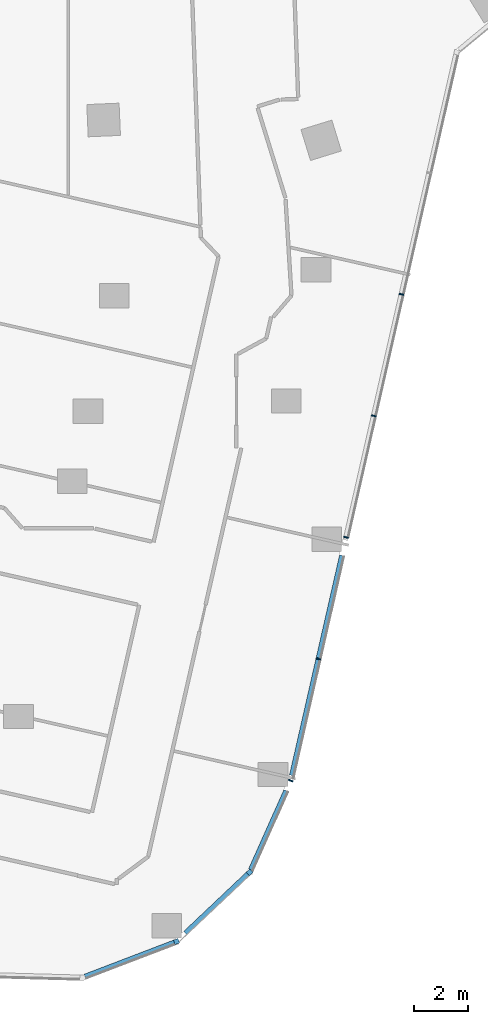
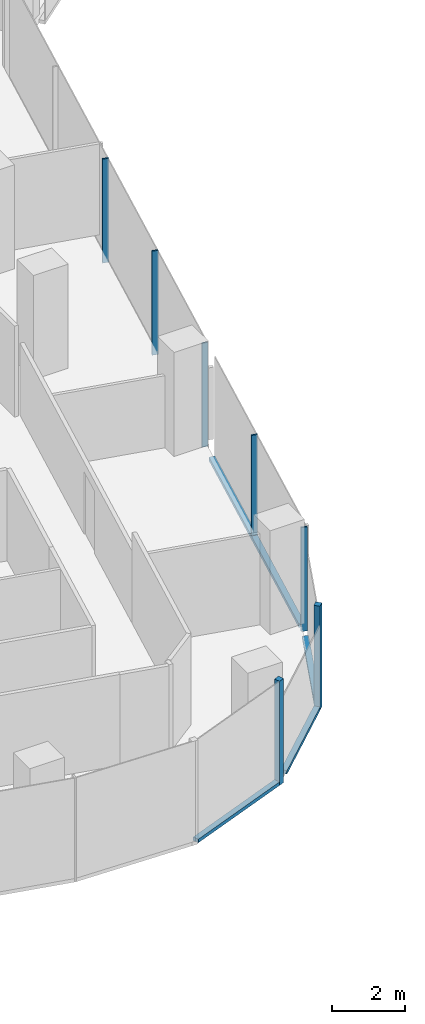
# One storey, part 5 of 23: 11 members, 4 elements without a shape of their own.
"""IFC4 building model written with IfcOpenShell, lengths in metres."""

from ifc_helpers import new_model, si_unit, direction, frame, origin, origin_2d, place, context, subcontext, project, spatial, rectangle, extrude, material, material_profile, profile_set, type_object, element, aggregate, save


model = new_model("IFC4")

# Units and contexts
model_context = context("Model", 3, precision=1e-05, world=origin(), true_north=direction((0.0, 1.0)))
body_context = subcontext(model_context, "Body", "Model", "MODEL_VIEW")
ifc_project = project(units=[si_unit("LENGTHUNIT", "METRE"), si_unit("AREAUNIT", "SQUARE_METRE"), si_unit("VOLUMEUNIT", "CUBIC_METRE"), si_unit("PLANEANGLEUNIT", "RADIAN"), si_unit("MASSUNIT", "GRAM", prefix="KILO")], contexts=[model_context])

# Site, building, storey
site_placement = place(None, origin())
site = spatial("IfcSite", under=ifc_project, at=site_placement, CompositionType="ELEMENT")
building_placement = place(site_placement, origin())
building = spatial("IfcBuilding", under=site, at=building_placement, Name="Orlundy Tower", CompositionType="ELEMENT")
storey_placement = place(building_placement, frame((0.0, 0.0, 181.10009765625)))
storey = spatial("IfcBuildingStorey", under=building, at=storey_placement, Name="L47", CompositionType="ELEMENT", Elevation=181.10009765625)

# Curtain wall, member
ifc_material_1 = material(Name="Aluminium bronze anodised", Category="aluminium")
curtain_wall_type = type_object("IfcCurtainWallType", Name="CW1 wall", PredefinedType="NOTDEFINED", material=ifc_material_1)
curtain_wall_1_placement = place(storey_placement, origin())
curtain_wall_1 = element("IfcCurtainWall", 1, at=curtain_wall_1_placement, inside=storey, type_object=curtain_wall_type, Name="CW1 run 020", PredefinedType="NOTDEFINED")
ifc_material_2 = material(Name="Aluminium bronze anodised", Category="aluminium")
ifc_material_profile_1 = material_profile(ifc_material_2, rectangle(XDim=0.179931640625, YDim=0.179931640625, at=origin_2d()), Name="CW1 corner post 180x180")
ifc_profile_set_1 = profile_set([ifc_material_profile_1], Name="Aluminium bronze anodised")
member_type_1 = type_object("IfcMemberType", Name="CW1 corner post 180x180", PredefinedType="MULLION", material=ifc_profile_set_1)
member_1_placement = place(storey_placement, frame((6.73486328125, -57.60498046875, -0.420166015625), z_axis=(0.0, 0.0, 1.0), x_axis=(0.687280644864, -0.726391984534, 0.0)))
member_1 = element("IfcMember", 2, at=member_1_placement, type_object=member_type_1, Name="CW1 mullion 50", PredefinedType="MULLION", context=body_context, shape_type="SweptSolid", body=[
    extrude(rectangle(XDim=0.179931640625, YDim=0.179931640625, at=origin_2d()), origin(), (0.0, 0.0, 1.0), 3.5),
])

curtain_wall_2_placement = place(storey_placement, origin())
curtain_wall_2 = element("IfcCurtainWall", 3, at=curtain_wall_2_placement, inside=storey, type_object=curtain_wall_type, Name="CW1 run 021", PredefinedType="NOTDEFINED")
member_2_placement = place(storey_placement, frame((4.015869140625, -60.177734375, -0.420166015625), z_axis=(0.0, 0.0, 1.0), x_axis=(0.356971292489, -0.934115354942, 0.0)))
member_2 = element("IfcMember", 4, at=member_2_placement, type_object=member_type_1, Name="CW1 mullion 51", PredefinedType="MULLION", context=body_context, shape_type="SweptSolid", body=[
    extrude(rectangle(XDim=0.179931640625, YDim=0.179931640625, at=origin_2d()), origin(), (0.0, 0.0, 1.0), 3.5),
])

# Curtain wall, members
curtain_wall_3_placement = place(storey_placement, origin())
curtain_wall_3 = element("IfcCurtainWall", 5, at=curtain_wall_3_placement, inside=storey, type_object=curtain_wall_type, Name="CW1 run 018", PredefinedType="NOTDEFINED")
ifc_material_3 = material(Name="Aluminium bronze anodised", Category="aluminium")
ifc_material_profile_2 = material_profile(ifc_material_3, rectangle(XDim=0.179931640625, YDim=0.050048828125, at=origin_2d()), Name="CW1 mullion 50x180")
ifc_profile_set_2 = profile_set([ifc_material_profile_2], Name="Aluminium bronze anodised")
member_type_2 = type_object("IfcMemberType", Name="CW1 mullion 50x180", PredefinedType="MULLION", material=ifc_profile_set_2)
member_3_placement = place(storey_placement, frame((12.374755859375, -36.1279296875, -0.420166015625), z_axis=(0.0, 0.0, 1.0), x_axis=(0.975022425628, -0.222106437373, 0.0)))
member_3 = element("IfcMember", 6, at=member_3_placement, type_object=member_type_2, Name="CW1 mullion 45", PredefinedType="MULLION", context=body_context, shape_type="SweptSolid", body=[
    extrude(rectangle(XDim=0.179931640625, YDim=0.050048828125, at=origin_2d()), origin(), (0.0, 0.0, 1.0), 3.5),
])
member_4_placement = place(storey_placement, frame((11.34619140625, -40.64306640625, -0.420166015625), z_axis=(0.0, 0.0, 1.0), x_axis=(0.975022425628, -0.222106437373, 0.0)))
member_4 = element("IfcMember", 7, at=member_4_placement, type_object=member_type_2, Name="CW1 mullion 46", PredefinedType="MULLION", context=body_context, shape_type="SweptSolid", body=[
    extrude(rectangle(XDim=0.179931640625, YDim=0.050048828125, at=origin_2d()), origin(), (0.0, 0.0, 1.0), 3.5),
])
member_5_placement = place(storey_placement, frame((10.31787109375, -45.157958984375, -0.420166015625), z_axis=(0.0, 0.0, 1.0), x_axis=(0.975022425628, -0.222106437373, 0.0)))
member_5 = element("IfcMember", 8, at=member_5_placement, type_object=member_type_2, Name="CW1 mullion 47", PredefinedType="MULLION", context=body_context, shape_type="SweptSolid", body=[
    extrude(rectangle(XDim=0.179931640625, YDim=0.050048828125, at=origin_2d()), origin(), (0.0, 0.0, 1.0), 3.5),
])
member_6_placement = place(storey_placement, frame((9.289306640625, -49.673095703125, -0.420166015625), z_axis=(0.0, 0.0, 1.0), x_axis=(0.975022425628, -0.222106437373, 0.0)))
member_6 = element("IfcMember", 9, at=member_6_placement, type_object=member_type_2, Name="CW1 mullion 48", PredefinedType="MULLION", context=body_context, shape_type="SweptSolid", body=[
    extrude(rectangle(XDim=0.179931640625, YDim=0.050048828125, at=origin_2d()), origin(), (0.0, 0.0, 1.0), 3.5),
])

# Curtain wall, member
curtain_wall_4_placement = place(storey_placement, origin())
curtain_wall_4 = element("IfcCurtainWall", 10, at=curtain_wall_4_placement, inside=storey, type_object=curtain_wall_type, Name="CW1 run 019", PredefinedType="NOTDEFINED")
member_7_placement = place(storey_placement, frame((8.2587890625, -54.196533203125, -0.420166015625), z_axis=(0.0, 0.0, 1.0), x_axis=(0.948538326866, -0.316662347725, 0.0)))
member_7 = element("IfcMember", 11, at=member_7_placement, type_object=member_type_2, Name="CW1 mullion 49", PredefinedType="MULLION", context=body_context, shape_type="SweptSolid", body=[
    extrude(rectangle(XDim=0.179931640625, YDim=0.050048828125, at=origin_2d()), origin(), (0.0, 0.0, 1.0), 3.5),
])

# Member
ifc_material_4 = material(Name="Aluminium bronze anodised", Category="aluminium")
ifc_material_profile_3 = material_profile(ifc_material_4, rectangle(XDim=0.179931640625, YDim=0.1201171875, at=origin_2d()), Name="CW1 transom 180x120")
ifc_profile_set_3 = profile_set([ifc_material_profile_3], Name="Aluminium bronze anodised")
member_type_3 = type_object("IfcMemberType", Name="CW1 transom 180x120", PredefinedType="USERDEFINED", material=ifc_profile_set_3)
member_8_placement = place(storey_placement, frame((10.165283203125, -45.826904296875, -0.360107421875), z_axis=(-0.222097782394, -0.975024397159, 0.0), x_axis=(0.975024397159, -0.222097782394, 0.0)))
member_8 = element("IfcMember", 12, at=member_8_placement, type_object=member_type_3, Name="CW1 transom", ObjectType="TRANSOM", PredefinedType="USERDEFINED", context=body_context, shape_type="SweptSolid", body=[
    extrude(rectangle(XDim=0.179931640625, YDim=0.1201171875, at=origin_2d()), origin(), (0.0, 0.0, 1.0), 8.389404296875),
])

aggregate(curtain_wall_3, [member_3, member_4, member_5, member_6, member_8])

member_9_placement = place(storey_placement, frame((8.091796875, -54.570068359375, -0.360107421875), z_axis=(-0.408152053021, -0.912913961781, 0.0), x_axis=(0.912913961781, -0.408152053021, 0.0)))
member_9 = element("IfcMember", 13, at=member_9_placement, type_object=member_type_3, Name="CW1 transom", ObjectType="TRANSOM", PredefinedType="USERDEFINED", context=body_context, shape_type="SweptSolid", body=[
    extrude(rectangle(XDim=0.179931640625, YDim=0.1201171875, at=origin_2d()), origin(), (0.0, 0.0, 1.0), 3.22705078125),
])

aggregate(curtain_wall_4, [member_7, member_9])

member_10_placement = place(storey_placement, frame((6.66943359375, -57.6669921875, -0.360107421875), z_axis=(-0.726392140314, -0.687280480219, 0.0), x_axis=(0.687280480219, -0.726392140314, 0.0)))
member_10 = element("IfcMember", 14, at=member_10_placement, type_object=member_type_3, Name="CW1 transom", ObjectType="TRANSOM", PredefinedType="USERDEFINED", context=body_context, shape_type="SweptSolid", body=[
    extrude(rectangle(XDim=0.179931640625, YDim=0.1201171875, at=origin_2d()), origin(), (0.0, 0.0, 1.0), 3.196044921875),
])

aggregate(curtain_wall_1, [member_1, member_10])

member_11_placement = place(storey_placement, frame((3.931884765625, -60.209716796875, -0.360107421875), z_axis=(-0.934106404505, -0.356994712934, 0.0), x_axis=(0.356994712934, -0.934106404505, 0.0)))
member_11 = element("IfcMember", 15, at=member_11_placement, type_object=member_type_3, Name="CW1 transom", ObjectType="TRANSOM", PredefinedType="USERDEFINED", context=body_context, shape_type="SweptSolid", body=[
    extrude(rectangle(XDim=0.179931640625, YDim=0.1201171875, at=origin_2d()), origin(), (0.0, 0.0, 1.0), 3.5546875),
])

aggregate(curtain_wall_2, [member_2, member_11])

save(model, "model.ifc")
